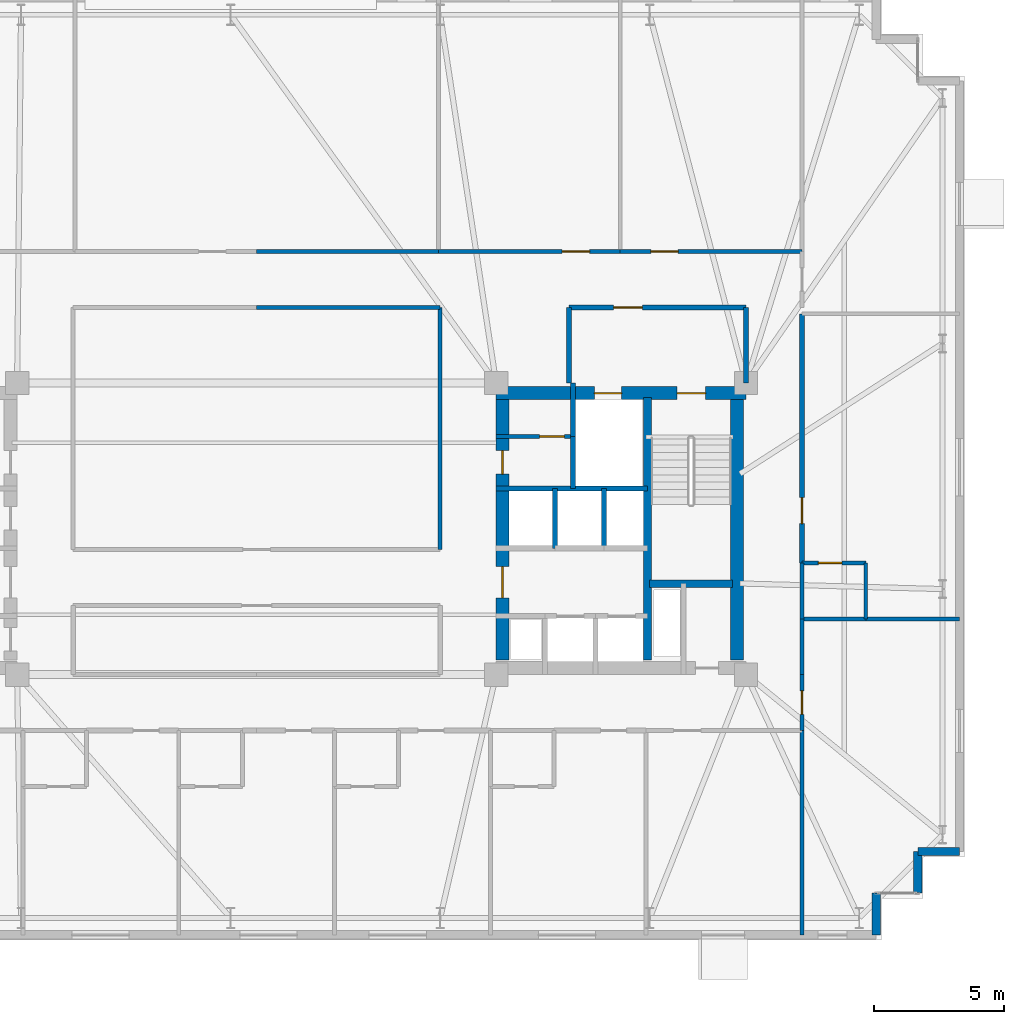
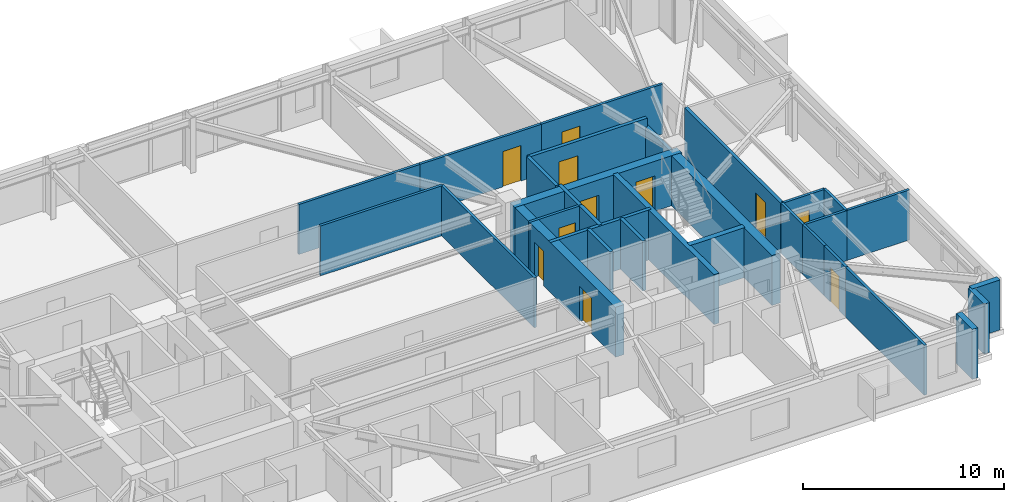
# One storey, part 15 of 18: 31 walls, 11 doors, 11 openings.
"""IFC4 building model written with IfcOpenShell, lengths in metres."""

from ifc_helpers import new_model, si_unit, direction, frame, frame_2d, origin, place, context, subcontext, project, spatial, rectangle, extrude, material, layer, layer_set, type_object, element, fill, save


model = new_model("IFC4")

# Units and contexts
model_context = context("Model", 3, precision=1e-05, world=origin(), true_north=direction((0.0, 1.0)))
body_context = subcontext(model_context, "Body", "Model", "MODEL_VIEW")
ifc_project = project(units=[si_unit("LENGTHUNIT", "METRE"), si_unit("AREAUNIT", "SQUARE_METRE"), si_unit("VOLUMEUNIT", "CUBIC_METRE"), si_unit("PLANEANGLEUNIT", "RADIAN"), si_unit("MASSUNIT", "GRAM", prefix="KILO")], contexts=[model_context])

# Site, building, storey
site_placement = place(None, origin())
site = spatial("IfcSite", under=ifc_project, at=site_placement, CompositionType="ELEMENT")
building_placement = place(site_placement, origin())
building = spatial("IfcBuilding", under=site, at=building_placement, Name="Qobustan Lattice House", CompositionType="ELEMENT")
storey_placement = place(building_placement, frame((0.0, 0.0, 154.449951171875)))
storey = spatial("IfcBuildingStorey", under=building, at=storey_placement, Name="L43", CompositionType="ELEMENT", Elevation=154.449951171875)

# Wall, openings, doors
ifc_material_1 = material(Name="Concrete C50/60", Category="concrete")
ifc_layer_1 = layer(ifc_material_1, 0.5)
ifc_layer_set_1 = layer_set([ifc_layer_1], Name="Concrete C50/60")
wall_type_1 = type_object("IfcWallType", Name="WAL-CORE-500", PredefinedType="SHEAR", material=ifc_layer_set_1)
wall_1_placement = place(storey_placement, frame((9.199951171875, 5.2099609375, 0.0), z_axis=(0.0, 0.0, 1.0), x_axis=(1.0, 0.0, 0.0)))
wall_1 = element("IfcWall", 1, at=wall_1_placement, inside=storey, type_object=wall_type_1, Name="L43 split-core shear wall CE-N", PredefinedType="SHEAR", context=body_context, shape_type="SweptSolid", body=[
    extrude(rectangle(XDim=9.60009765625, YDim=0.5, at=frame_2d((4.800048828125, 0.0))), origin(), (0.0, 0.0, 1.0), 3.0400390625),
])
opening_1_placement = place(wall_1_placement, frame((6.949951171875, 0.0, 0.0)))
opening_1 = element("IfcOpeningElement", 2, at=opening_1_placement, cuts=wall_1, Name="Opening SD-01", PredefinedType="OPENING", context=body_context, shape_type="SweptSolid", body=[
    extrude(rectangle(XDim=1.10009765625, YDim=2.14990234375, at=frame_2d((0.550048828125, 1.074951171875))), frame((0.0, 0.260009765625, 0.0), z_axis=(0.0, -1.0, 0.0), x_axis=(1.0, 0.0, 0.0)), (0.0, 0.0, 1.0), 0.52001953125),
])
opening_2_placement = place(wall_1_placement, frame((3.77490234375, 0.0, 0.0)))
opening_2 = element("IfcOpeningElement", 3, at=opening_2_placement, cuts=wall_1, Name="Opening LD-01", PredefinedType="OPENING", context=body_context, shape_type="SweptSolid", body=[
    extrude(rectangle(XDim=1.050048828125, YDim=2.10009765625, at=frame_2d((0.52490234375, 1.050048828125))), frame((0.0, 0.260009765625, 0.0), z_axis=(0.0, -1.0, 0.0), x_axis=(1.0, 0.0, 0.0)), (0.0, 0.0, 1.0), 0.52001953125),
])
ifc_material_2 = material(Name="Persian walnut timber and steel frame door", Category="steel")
door_type_1 = type_object("IfcDoorType", Name="DOR-LIFT-LD-1050x2100", OperationType="NOTDEFINED", PredefinedType="DOOR", material=ifc_material_2)
door_1_placement = place(opening_2_placement, origin())
door_1 = element("IfcDoor", 4, at=door_1_placement, inside=storey, type_object=door_type_1, Name="L43 firefighting lift FF-E landing door", OperationType="DOUBLE_DOOR_SLIDING", OverallHeight=2.10009765625, OverallWidth=1.050048828125, PredefinedType="DOOR", context=body_context, shape_type="SweptSolid", body=[
    extrude(rectangle(XDim=1.050048828125, YDim=2.10009765625, at=frame_2d((0.52490234375, 1.050048828125))), frame((0.0, 0.02490234375, 0.0), z_axis=(0.0, -1.0, 0.0), x_axis=(1.0, 0.0, 0.0)), (0.0, 0.0, 1.0), 0.050048828125),
])
fill(opening_2, door_1)
ifc_material_3 = material(Name="Persian walnut timber and steel frame door", Category="steel")
door_type_2 = type_object("IfcDoorType", Name="DOR-STAIR-FD-1100x2150", OperationType="NOTDEFINED", PredefinedType="DOOR", material=ifc_material_3)
door_2_placement = place(opening_1_placement, origin())
door_2 = element("IfcDoor", 5, at=door_2_placement, inside=storey, type_object=door_type_2, Name="L43 exit stair ST-E1 fire door", OperationType="SINGLE_SWING_LEFT", OverallHeight=2.14990234375, OverallWidth=1.10009765625, PredefinedType="DOOR", context=body_context, shape_type="SweptSolid", body=[
    extrude(rectangle(XDim=1.10009765625, YDim=2.14990234375, at=frame_2d((0.550048828125, 1.074951171875))), frame((0.0, 0.02490234375, 0.0), z_axis=(0.0, -1.0, 0.0), x_axis=(1.0, 0.0, 0.0)), (0.0, 0.0, 1.0), 0.050048828125),
])
fill(opening_1, door_2)

wall_2_placement = place(storey_placement, frame((9.449951171875, -5.050048828125, 0.0), z_axis=(0.0, 0.0, 1.0), x_axis=(0.0, 1.0, 0.0)))
wall_2 = element("IfcWall", 6, at=wall_2_placement, inside=storey, type_object=wall_type_1, Name="L43 split-core shear wall CE-W", PredefinedType="SHEAR", context=body_context, shape_type="SweptSolid", body=[
    extrude(rectangle(XDim=10.10009765625, YDim=0.5, at=frame_2d((5.050048828125, 0.0))), origin(), (0.0, 0.0, 1.0), 3.0400390625),
])
opening_3_placement = place(wall_2_placement, frame((7.14990234375, 0.0, 0.0)))
opening_3 = element("IfcOpeningElement", 7, at=opening_3_placement, cuts=wall_2, Name="Opening RD-01", PredefinedType="OPENING", context=body_context, shape_type="SweptSolid", body=[
    extrude(rectangle(XDim=0.89990234375, YDim=2.10009765625, at=frame_2d((0.449951171875, 1.050048828125))), frame((0.0, 0.260009765625, 0.0), z_axis=(0.0, -1.0, 0.0), x_axis=(1.0, 0.0, 0.0)), (0.0, 0.0, 1.0), 0.52001953125),
])
opening_4_placement = place(wall_2_placement, frame((2.39990234375, 0.0, 0.0)))
opening_4 = element("IfcOpeningElement", 8, at=opening_4_placement, cuts=wall_2, Name="Opening FD-01", PredefinedType="OPENING", context=body_context, shape_type="SweptSolid", body=[
    extrude(rectangle(XDim=1.199951171875, YDim=2.14990234375, at=frame_2d((0.60009765625, 1.074951171875))), frame((0.0, 0.260009765625, 0.0), z_axis=(0.0, -1.0, 0.0), x_axis=(1.0, 0.0, 0.0)), (0.0, 0.0, 1.0), 0.52001953125),
])
ifc_material_4 = material(Name="Persian walnut timber and steel frame door", Category="steel")
door_type_3 = type_object("IfcDoorType", Name="DOR-LOBBY-FD-1200x2150", OperationType="NOTDEFINED", PredefinedType="DOOR", material=ifc_material_4)
door_3_placement = place(opening_4_placement, origin())
door_3 = element("IfcDoor", 9, at=door_3_placement, inside=storey, type_object=door_type_3, Name="L43 East passenger lift lobby fire door", OperationType="SINGLE_SWING_LEFT", OverallHeight=2.14990234375, OverallWidth=1.199951171875, PredefinedType="DOOR", context=body_context, shape_type="SweptSolid", body=[
    extrude(rectangle(XDim=1.199951171875, YDim=2.14990234375, at=frame_2d((0.60009765625, 1.074951171875))), frame((0.0, 0.02490234375, 0.0), z_axis=(0.0, -1.0, 0.0), x_axis=(1.0, 0.0, 0.0)), (0.0, 0.0, 1.0), 0.050048828125),
])
fill(opening_4, door_3)
ifc_material_5 = material(Name="Persian walnut timber and steel frame door", Category="steel")
door_type_4 = type_object("IfcDoorType", Name="DOR-RISER-FD-900x2100", OperationType="NOTDEFINED", PredefinedType="DOOR", material=ifc_material_5)
door_4_placement = place(opening_3_placement, origin())
door_4 = element("IfcDoor", 10, at=door_4_placement, inside=storey, type_object=door_type_4, Name="L43 Housekeeping utility foyer fire door", OperationType="SINGLE_SWING_RIGHT", OverallHeight=2.10009765625, OverallWidth=0.89990234375, PredefinedType="DOOR", context=body_context, shape_type="SweptSolid", body=[
    extrude(rectangle(XDim=0.89990234375, YDim=2.10009765625, at=frame_2d((0.449951171875, 1.050048828125))), frame((0.0, 0.02490234375, 0.0), z_axis=(0.0, -1.0, 0.0), x_axis=(1.0, 0.0, 0.0)), (0.0, 0.0, 1.0), 0.050048828125),
])
fill(opening_3, door_4)

# Walls
wall_3_placement = place(storey_placement, frame((18.4599609375, -5.050048828125, 0.0), z_axis=(0.0, 0.0, 1.0), x_axis=(0.0, 1.0, 0.0)))
element("IfcWall", 11, at=wall_3_placement, inside=storey, type_object=wall_type_1, Name="L43 split-core shear wall CE-E", PredefinedType="SHEAR", context=body_context, shape_type="SweptSolid", body=[
    extrude(rectangle(XDim=10.10009765625, YDim=0.5, at=frame_2d((5.050048828125, 0.0))), origin(), (0.0, 0.0, 1.0), 3.0400390625),
])
ifc_material_6 = material(Name="Concrete C50/60", Category="concrete")
ifc_layer_2 = layer(ifc_material_6, 0.280029296875)
ifc_layer_set_2 = layer_set([ifc_layer_2], Name="Concrete C50/60")
wall_type_2 = type_object("IfcWallType", Name="WAL-CORE-SPINE-280", PredefinedType="SHEAR", material=ifc_layer_set_2)
wall_4_placement = place(storey_placement, frame((15.02001953125, -5.050048828125, 0.0), z_axis=(0.0, 0.0, 1.0), x_axis=(0.0, 1.0, 0.0)))
element("IfcWall", 12, at=wall_4_placement, inside=storey, type_object=wall_type_2, Name="L43 split-core shear wall CE-M", PredefinedType="SHEAR", context=body_context, shape_type="SweptSolid", body=[
    extrude(rectangle(XDim=10.10009765625, YDim=0.300048828125, at=frame_2d((5.050048828125, 0.0))), origin(), (0.0, 0.0, 1.0), 3.0400390625),
])
wall_5_placement = place(storey_placement, frame((15.10009765625, -2.110107421875, 0.0), z_axis=(0.0, 0.0, 1.0), x_axis=(1.0, 0.0, 0.0)))
element("IfcWall", 13, at=wall_5_placement, inside=storey, type_object=wall_type_2, Name="L43 split-core shear wall CE-ST", PredefinedType="SHEAR", context=body_context, shape_type="SweptSolid", body=[
    extrude(rectangle(XDim=3.179931640625, YDim=0.300048828125, at=frame_2d((1.58984375, 0.0))), origin(), (0.0, 0.0, 1.0), 3.0400390625),
])
ifc_material_7 = material(Name="Precast concrete C40/50", Category="concrete")
ifc_layer_3 = layer(ifc_material_7, 0.320068359375)
ifc_layer_set_3 = layer_set([ifc_layer_3], Name="Precast concrete C40/50")
wall_type_3 = type_object("IfcWallType", Name="WAL-EXT-STONE-320", PredefinedType="SOLIDWALL", material=ifc_layer_set_3)
for number, where, z_axis, x_axis, name in (
    (14, (27.0, -12.39990234375, 0.0), (0.0, 0.0, 1.0), (-1.0, 0.0, 0.0), "L43 exterior limestone-clad wall 16"),
    (15, (25.39990234375, -12.39990234375, 0.0), (0.0, 0.0, 1.0), (0.0, -1.0, 0.0), "L43 exterior limestone-clad wall 17"),
    (16, (23.800048828125, -14.0, 0.0), (0.0, 0.0, 1.0), (0.0, -1.0, 0.0), "L43 exterior limestone-clad wall 19"),
):
    element("IfcWall", number, at=place(storey_placement, frame(where, z_axis=z_axis, x_axis=x_axis)), inside=storey, type_object=wall_type_3, Name=name, PredefinedType="SOLIDWALL", context=body_context, shape_type="SweptSolid", body=[
        extrude(rectangle(XDim=1.60009765625, YDim=0.320068359375, at=frame_2d((0.800048828125, 0.0))), origin(), (0.0, 0.0, 1.0), 3.0400390625),
    ])

# Wall, opening, door
ifc_material_8 = material(Name="Gypsum fireboard acoustic partition", Category="gypsum")
ifc_layer_4 = layer(ifc_material_8, 0.179931640625)
ifc_layer_set_4 = layer_set([ifc_layer_4], Name="Gypsum fireboard acoustic partition")
wall_type_4 = type_object("IfcWallType", Name="WAL-FIRE-180", PredefinedType="PARTITIONING", material=ifc_layer_set_4)
wall_6_placement = place(storey_placement, frame((20.949951171875, 8.260009765625, 0.0), z_axis=(0.0, 0.0, 1.0), x_axis=(0.0, -1.0, 0.0)))
wall_6 = element("IfcWall", 17, at=wall_6_placement, inside=storey, type_object=wall_type_4, Name="L43 interior partition 62", PredefinedType="PARTITIONING", context=body_context, shape_type="SweptSolid", body=[
    extrude(rectangle(XDim=9.570068359375, YDim=0.179931640625, at=frame_2d((4.78515625, 0.0))), origin(), (0.0, 0.0, 1.0), 3.0400390625),
])
opening_5_placement = place(wall_6_placement, frame((7.063720703125, 0.0, 0.0)))
opening_5 = element("IfcOpeningElement", 18, at=opening_5_placement, cuts=wall_6, Name="Opening FD-02", PredefinedType="OPENING", context=body_context, shape_type="SweptSolid", body=[
    extrude(rectangle(XDim=1.0, YDim=2.14990234375, at=frame_2d((0.5, 1.074951171875))), frame((0.0, 0.099853515625, 0.0), z_axis=(0.0, -1.0, 0.0), x_axis=(1.0, 0.0, 0.0)), (0.0, 0.0, 1.0), 0.199951171875),
])
ifc_material_9 = material(Name="Persian walnut timber and steel frame door", Category="steel")
door_type_5 = type_object("IfcDoorType", Name="DOR-UNIT-FD-1000x2150", OperationType="NOTDEFINED", PredefinedType="DOOR", material=ifc_material_9)
door_5_placement = place(opening_5_placement, origin())
door_5 = element("IfcDoor", 19, at=door_5_placement, inside=storey, type_object=door_type_5, Name="L43 East wing spine gallery to Kitchenette and studio apartment L43-E2 door", OperationType="SINGLE_SWING_RIGHT", OverallHeight=2.14990234375, OverallWidth=1.0, PredefinedType="DOOR", context=body_context, shape_type="SweptSolid", body=[
    extrude(rectangle(XDim=1.0, YDim=2.14990234375, at=frame_2d((0.5, 1.074951171875))), frame((0.0, 0.02490234375, 0.0), z_axis=(0.0, -1.0, 0.0), x_axis=(1.0, 0.0, 0.0)), (0.0, 0.0, 1.0), 0.050048828125),
])
fill(opening_5, door_5)

ifc_material_10 = material(Name="Acoustic twin-stud gypsum partition", Category="gypsum")
ifc_layer_5 = layer(ifc_material_10, 0.14990234375)
ifc_layer_set_5 = layer_set([ifc_layer_5], Name="Acoustic twin-stud gypsum partition")
wall_type_5 = type_object("IfcWallType", Name="WAL-PART-150", PredefinedType="PARTITIONING", material=ifc_layer_set_5)
wall_7_placement = place(storey_placement, frame((12.14990234375, 3.550048828125, 0.0), z_axis=(0.0, 0.0, 1.0), x_axis=(-1.0, 0.0, 0.0)))
wall_7 = element("IfcWall", 20, at=wall_7_placement, inside=storey, type_object=wall_type_5, Name="L43 interior partition 21", PredefinedType="PARTITIONING", context=body_context, shape_type="SweptSolid", body=[
    extrude(rectangle(XDim=2.949951171875, YDim=0.14990234375, at=frame_2d((1.47509765625, 0.0))), origin(), (0.0, 0.0, 1.0), 3.0400390625),
])
opening_6_placement = place(wall_7_placement, frame((0.324951171875, 0.0, 0.0)))
opening_6 = element("IfcOpeningElement", 21, at=opening_6_placement, cuts=wall_7, Name="Opening ID-01", PredefinedType="OPENING", context=body_context, shape_type="SweptSolid", body=[
    extrude(rectangle(XDim=0.949951171875, YDim=2.10009765625, at=frame_2d((0.47509765625, 1.050048828125))), frame((0.0, 0.0849609375, 0.0), z_axis=(0.0, -1.0, 0.0), x_axis=(1.0, 0.0, 0.0)), (0.0, 0.0, 1.0), 0.169921875),
])
ifc_material_11 = material(Name="Persian walnut timber and steel frame door", Category="steel")
door_type_6 = type_object("IfcDoorType", Name="DOR-ROOM-950x2100", OperationType="NOTDEFINED", PredefinedType="DOOR", material=ifc_material_11)
door_6_placement = place(opening_6_placement, origin())
door_6 = element("IfcDoor", 22, at=door_6_placement, inside=storey, type_object=door_type_6, Name="L43 Housekeeping utility foyer to Cleaner cupboard door", OperationType="SINGLE_SWING_LEFT", OverallHeight=2.10009765625, OverallWidth=0.949951171875, PredefinedType="DOOR", context=body_context, shape_type="SweptSolid", body=[
    extrude(rectangle(XDim=0.949951171875, YDim=2.10009765625, at=frame_2d((0.47509765625, 1.050048828125))), frame((0.0, 0.02490234375, 0.0), z_axis=(0.0, -1.0, 0.0), x_axis=(1.0, 0.0, 0.0)), (0.0, 0.0, 1.0), 0.050048828125),
])
fill(opening_6, door_6)

# Wall
wall_8_placement = place(storey_placement, frame((0.0, 10.64990234375, 0.0), z_axis=(0.0, 0.0, 1.0), x_axis=(1.0, 0.0, 0.0)))
element("IfcWall", 23, at=wall_8_placement, inside=storey, type_object=wall_type_5, Name="L43 interior partition 39", PredefinedType="PARTITIONING", context=body_context, shape_type="SweptSolid", body=[
    extrude(rectangle(XDim=6.98291015625, YDim=0.14990234375, at=frame_2d((3.491455078125, 0.0))), origin(), (0.0, 0.0, 1.0), 3.0400390625),
])

# Wall, opening, door
wall_9_placement = place(storey_placement, frame((6.98291015625, 10.64990234375, 0.0), z_axis=(0.0, 0.0, 1.0), x_axis=(1.0, 0.0, 0.0)))
wall_9 = element("IfcWall", 24, at=wall_9_placement, inside=storey, type_object=wall_type_5, Name="L43 interior partition 40", PredefinedType="PARTITIONING", context=body_context, shape_type="SweptSolid", body=[
    extrude(rectangle(XDim=6.983642578125, YDim=0.14990234375, at=frame_2d((3.49169921875, 0.0))), origin(), (0.0, 0.0, 1.0), 3.0400390625),
])
opening_7_placement = place(wall_9_placement, frame((4.7568359375, 0.0, 0.0)))
opening_7 = element("IfcOpeningElement", 25, at=opening_7_placement, cuts=wall_9, Name="Opening ID-02", PredefinedType="OPENING", context=body_context, shape_type="SweptSolid", body=[
    extrude(rectangle(XDim=1.050048828125, YDim=2.14990234375, at=frame_2d((0.52490234375, 1.074951171875))), frame((0.0, 0.0849609375, 0.0), z_axis=(0.0, -1.0, 0.0), x_axis=(1.0, 0.0, 0.0)), (0.0, 0.0, 1.0), 0.169921875),
])
ifc_material_12 = material(Name="Persian walnut timber and steel frame door", Category="steel")
door_type_7 = type_object("IfcDoorType", Name="DOR-STUDY-1050x2150", OperationType="NOTDEFINED", PredefinedType="DOOR", material=ifc_material_12)
door_7_placement = place(opening_7_placement, origin())
door_7 = element("IfcDoor", 26, at=door_7_placement, inside=storey, type_object=door_type_7, Name="L43 North-east floor corridor to Focus study room N3A door", OperationType="SINGLE_SWING_RIGHT", OverallHeight=2.14990234375, OverallWidth=1.050048828125, PredefinedType="DOOR", context=body_context, shape_type="SweptSolid", body=[
    extrude(rectangle(XDim=1.050048828125, YDim=2.14990234375, at=frame_2d((0.52490234375, 1.074951171875))), frame((0.0, 0.02490234375, 0.0), z_axis=(0.0, -1.0, 0.0), x_axis=(1.0, 0.0, 0.0)), (0.0, 0.0, 1.0), 0.050048828125),
])
fill(opening_7, door_7)

wall_10_placement = place(storey_placement, frame((13.966552734375, 10.64990234375, 0.0), z_axis=(0.0, 0.0, 1.0), x_axis=(1.0, 0.0, 0.0)))
wall_10 = element("IfcWall", 27, at=wall_10_placement, inside=storey, type_object=wall_type_5, Name="L43 interior partition 41", PredefinedType="PARTITIONING", context=body_context, shape_type="SweptSolid", body=[
    extrude(rectangle(XDim=6.9833984375, YDim=0.14990234375, at=frame_2d((3.49169921875, 0.0))), origin(), (0.0, 0.0, 1.0), 3.0400390625),
])
opening_8_placement = place(wall_10_placement, frame((1.1767578125, 0.0, 0.0)))
opening_8 = element("IfcOpeningElement", 28, at=opening_8_placement, cuts=wall_10, Name="Opening ID-02", PredefinedType="OPENING", context=body_context, shape_type="SweptSolid", body=[
    extrude(rectangle(XDim=1.050048828125, YDim=2.14990234375, at=frame_2d((0.52490234375, 1.074951171875))), frame((0.0, 0.0849609375, 0.0), z_axis=(0.0, -1.0, 0.0), x_axis=(1.0, 0.0, 0.0)), (0.0, 0.0, 1.0), 0.169921875),
])
door_8_placement = place(opening_8_placement, origin())
door_8 = element("IfcDoor", 29, at=door_8_placement, inside=storey, type_object=door_type_7, Name="L43 North-east floor corridor to Focus study room N3B door", OperationType="SINGLE_SWING_LEFT", OverallHeight=2.14990234375, OverallWidth=1.050048828125, PredefinedType="DOOR", context=body_context, shape_type="SweptSolid", body=[
    extrude(rectangle(XDim=1.050048828125, YDim=2.14990234375, at=frame_2d((0.52490234375, 1.074951171875))), frame((0.0, 0.02490234375, 0.0), z_axis=(0.0, -1.0, 0.0), x_axis=(1.0, 0.0, 0.0)), (0.0, 0.0, 1.0), 0.050048828125),
])
fill(opening_8, door_8)

# Wall
wall_11_placement = place(storey_placement, frame((7.050048828125, 8.5, 0.0), z_axis=(0.0, 0.0, 1.0), x_axis=(-1.0, 0.0, 0.0)))
element("IfcWall", 30, at=wall_11_placement, inside=storey, type_object=wall_type_5, Name="L43 interior partition 42", PredefinedType="PARTITIONING", context=body_context, shape_type="SweptSolid", body=[
    extrude(rectangle(XDim=7.050048828125, YDim=0.14990234375, at=frame_2d((3.52490234375, 0.0))), origin(), (0.0, 0.0, 1.0), 3.0400390625),
])

# Wall, opening, door
wall_12_placement = place(storey_placement, frame((20.949951171875, -5.60009765625, 0.0), z_axis=(0.0, 0.0, 1.0), x_axis=(0.0, -1.0, 0.0)))
wall_12 = element("IfcWall", 31, at=wall_12_placement, inside=storey, type_object=wall_type_5, Name="L43 interior partition 52", PredefinedType="PARTITIONING", context=body_context, shape_type="SweptSolid", body=[
    extrude(rectangle(XDim=2.14990234375, YDim=0.14990234375, at=frame_2d((1.074951171875, 0.0))), origin(), (0.0, 0.0, 1.0), 3.0400390625),
])
opening_9_placement = place(wall_12_placement, frame((0.625, 0.0, 0.0)))
opening_9 = element("IfcOpeningElement", 32, at=opening_9_placement, cuts=wall_12, Name="Opening WD-01", PredefinedType="OPENING", context=body_context, shape_type="SweptSolid", body=[
    extrude(rectangle(XDim=0.89990234375, YDim=2.10009765625, at=frame_2d((0.449951171875, 1.050048828125))), frame((0.0, 0.0849609375, 0.0), z_axis=(0.0, -1.0, 0.0), x_axis=(1.0, 0.0, 0.0)), (0.0, 0.0, 1.0), 0.169921875),
])
ifc_material_13 = material(Name="Persian walnut timber and steel frame door", Category="steel")
door_type_8 = type_object("IfcDoorType", Name="DOR-WET-900x2100", OperationType="NOTDEFINED", PredefinedType="DOOR", material=ifc_material_13)
door_9_placement = place(opening_9_placement, origin())
door_9 = element("IfcDoor", 33, at=door_9_placement, inside=storey, type_object=door_type_8, Name="L43 South-east floor corridor to Focus study room E1 door", OperationType="SINGLE_SWING_RIGHT", OverallHeight=2.10009765625, OverallWidth=0.89990234375, PredefinedType="DOOR", context=body_context, shape_type="SweptSolid", body=[
    extrude(rectangle(XDim=0.89990234375, YDim=2.10009765625, at=frame_2d((0.449951171875, 1.050048828125))), frame((0.0, 0.02490234375, 0.0), z_axis=(0.0, -1.0, 0.0), x_axis=(1.0, 0.0, 0.0)), (0.0, 0.0, 1.0), 0.050048828125),
])
fill(opening_9, door_9)

# Walls
wall_13_placement = place(storey_placement, frame((20.949951171875, -3.4599609375, 0.0), z_axis=(0.0, 0.0, 1.0), x_axis=(0.0, -1.0, 0.0)))
element("IfcWall", 34, at=wall_13_placement, inside=storey, type_object=wall_type_5, Name="L43 interior partition 61", PredefinedType="PARTITIONING", context=body_context, shape_type="SweptSolid", body=[
    extrude(rectangle(XDim=2.14013671875, YDim=0.14990234375, at=frame_2d((1.070068359375, 0.0))), origin(), (0.0, 0.0, 1.0), 3.0400390625),
])
wall_14_placement = place(storey_placement, frame((7.050048828125, -0.800048828125, 0.0), z_axis=(0.0, 0.0, 1.0), x_axis=(0.0, 1.0, 0.0)))
element("IfcWall", 35, at=wall_14_placement, inside=storey, type_object=wall_type_5, Name="L43 interior partition 68", PredefinedType="PARTITIONING", context=body_context, shape_type="SweptSolid", body=[
    extrude(rectangle(XDim=9.300048828125, YDim=0.14990234375, at=frame_2d((4.64990234375, 0.0))), origin(), (0.0, 0.0, 1.0), 3.0400390625),
])
wall_15_placement = place(storey_placement, frame((23.39990234375, -3.4599609375, 0.0), z_axis=(0.0, 0.0, 1.0), x_axis=(1.0, 0.0, 0.0)))
element("IfcWall", 36, at=wall_15_placement, inside=storey, type_object=wall_type_5, Name="L43 interior partition 87", PredefinedType="PARTITIONING", context=body_context, shape_type="SweptSolid", body=[
    extrude(rectangle(XDim=3.60009765625, YDim=0.14990234375, at=frame_2d((1.800048828125, 0.0))), origin(), (0.0, 0.0, 1.0), 3.0400390625),
])
wall_16_placement = place(storey_placement, frame((20.949951171875, -15.60009765625, 0.0), z_axis=(0.0, 0.0, 1.0), x_axis=(0.0, 1.0, 0.0)))
element("IfcWall", 37, at=wall_16_placement, inside=storey, type_object=wall_type_5, Name="L43 interior partition 89", PredefinedType="PARTITIONING", context=body_context, shape_type="SweptSolid", body=[
    extrude(rectangle(XDim=7.85009765625, YDim=0.14990234375, at=frame_2d((3.925048828125, 0.0))), origin(), (0.0, 0.0, 1.0), 3.0400390625),
])

# Wall, opening, door
ifc_material_14 = material(Name="Two-hour gypsum fireboard acoustic partition", Category="gypsum")
ifc_layer_6 = layer(ifc_material_14, 0.199951171875)
ifc_layer_set_6 = layer_set([ifc_layer_6], Name="Two-hour gypsum fireboard acoustic partition")
wall_type_6 = type_object("IfcWallType", Name="WAL-PROT-200", PredefinedType="PARTITIONING", material=ifc_layer_set_6)
wall_17_placement = place(storey_placement, frame((18.800048828125, 8.5, 0.0), z_axis=(0.0, 0.0, 1.0), x_axis=(-1.0, 0.0, 0.0)))
wall_17 = element("IfcWall", 38, at=wall_17_placement, inside=storey, type_object=wall_type_6, Name="L43 interior partition 18", PredefinedType="PARTITIONING", context=body_context, shape_type="SweptSolid", body=[
    extrude(rectangle(XDim=6.800048828125, YDim=0.199951171875, at=frame_2d((3.39990234375, 0.0))), origin(), (0.0, 0.0, 1.0), 3.0400390625),
])
opening_10_placement = place(wall_17_placement, frame((3.985107421875, 0.0, 0.0)))
opening_10 = element("IfcOpeningElement", 39, at=opening_10_placement, cuts=wall_17, Name="Opening SD-01", PredefinedType="OPENING", context=body_context, shape_type="SweptSolid", body=[
    extrude(rectangle(XDim=1.10009765625, YDim=2.14990234375, at=frame_2d((0.550048828125, 1.074951171875))), frame((0.0, 0.10986328125, 0.0), z_axis=(0.0, -1.0, 0.0), x_axis=(1.0, 0.0, 0.0)), (0.0, 0.0, 1.0), 0.219970703125),
])
door_10_placement = place(opening_10_placement, origin())
door_10 = element("IfcDoor", 40, at=door_10_placement, inside=storey, type_object=door_type_2, Name="L43 East firefighting lift lobby to North-east floor corridor door", OperationType="SINGLE_SWING_RIGHT", OverallHeight=2.14990234375, OverallWidth=1.10009765625, PredefinedType="DOOR", context=body_context, shape_type="SweptSolid", body=[
    extrude(rectangle(XDim=1.10009765625, YDim=2.14990234375, at=frame_2d((0.550048828125, 1.074951171875))), frame((0.0, 0.02490234375, 0.0), z_axis=(0.0, -1.0, 0.0), x_axis=(1.0, 0.0, 0.0)), (0.0, 0.0, 1.0), 0.050048828125),
])
fill(opening_10, door_10)

# Walls
wall_18_placement = place(storey_placement, frame((18.800048828125, 5.60009765625, 0.0), z_axis=(0.0, 0.0, 1.0), x_axis=(0.0, 1.0, 0.0)))
element("IfcWall", 41, at=wall_18_placement, inside=storey, type_object=wall_type_6, Name="L43 interior partition 19", PredefinedType="PARTITIONING", context=body_context, shape_type="SweptSolid", body=[
    extrude(rectangle(XDim=2.89990234375, YDim=0.199951171875, at=frame_2d((1.449951171875, 0.0))), origin(), (0.0, 0.0, 1.0), 2.525146484375),
])
wall_19_placement = place(storey_placement, frame((12.0, 8.5, 0.0), z_axis=(0.0, 0.0, 1.0), x_axis=(0.0, -1.0, 0.0)))
element("IfcWall", 42, at=wall_19_placement, inside=storey, type_object=wall_type_6, Name="L43 interior partition 20", PredefinedType="PARTITIONING", context=body_context, shape_type="SweptSolid", body=[
    extrude(rectangle(XDim=2.89990234375, YDim=0.199951171875, at=frame_2d((1.449951171875, 0.0))), origin(), (0.0, 0.0, 1.0), 3.0400390625),
])
ifc_material_15 = material(Name="Concrete C40/50", Category="concrete")
ifc_layer_7 = layer(ifc_material_15, 0.199951171875)
ifc_layer_set_7 = layer_set([ifc_layer_7], Name="Concrete C40/50")
wall_type_7 = type_object("IfcWallType", Name="WAL-SHAFT-200", PredefinedType="PARTITIONING", material=ifc_layer_set_7)
wall_20_placement = place(storey_placement, frame((12.14990234375, 3.550048828125, 0.0), z_axis=(0.0, 0.0, 1.0), x_axis=(0.0, -1.0, 0.0)))
element("IfcWall", 43, at=wall_20_placement, inside=storey, type_object=wall_type_7, Name="L43 interior partition 16", PredefinedType="PARTITIONING", context=body_context, shape_type="SweptSolid", body=[
    extrude(rectangle(XDim=2.0, YDim=0.199951171875, at=frame_2d((1.0, 0.0))), origin(), (0.0, 0.0, 1.0), 3.0400390625),
])
wall_21_placement = place(storey_placement, frame((12.14990234375, 5.60009765625, 0.0), z_axis=(0.0, 0.0, 1.0), x_axis=(0.0, -1.0, 0.0)))
element("IfcWall", 44, at=wall_21_placement, inside=storey, type_object=wall_type_7, Name="L43 interior partition 17", PredefinedType="PARTITIONING", context=body_context, shape_type="SweptSolid", body=[
    extrude(rectangle(XDim=2.050048828125, YDim=0.199951171875, at=frame_2d((1.02490234375, 0.0))), origin(), (0.0, 0.0, 1.0), 3.0400390625),
])
for number, where, z_axis, x_axis, name in (
    (45, (11.4599609375, -0.75, 0.0), (0.0, 0.0, 1.0), (0.0, 1.0, 0.0), "L43 interior partition 32"),
    (46, (13.340087890625, -0.75, 0.0), (0.0, 0.0, 1.0), (0.0, 1.0, 0.0), "L43 interior partition 33"),
):
    element("IfcWall", number, at=place(storey_placement, frame(where, z_axis=z_axis, x_axis=x_axis)), inside=storey, type_object=wall_type_7, Name=name, PredefinedType="PARTITIONING", context=body_context, shape_type="SweptSolid", body=[
        extrude(rectangle(XDim=2.300048828125, YDim=0.199951171875, at=frame_2d((1.14990234375, 0.0))), origin(), (0.0, 0.0, 1.0), 3.0400390625),
    ])
wall_22_placement = place(storey_placement, frame((9.199951171875, 1.550048828125, 0.0), z_axis=(0.0, 0.0, 1.0), x_axis=(1.0, 0.0, 0.0)))
element("IfcWall", 47, at=wall_22_placement, inside=storey, type_object=wall_type_7, Name="L43 interior partition 119", PredefinedType="PARTITIONING", context=body_context, shape_type="SweptSolid", body=[
    extrude(rectangle(XDim=5.820068359375, YDim=0.199951171875, at=frame_2d((2.91015625, 0.0))), origin(), (0.0, 0.0, 1.0), 3.0400390625),
])
ifc_material_16 = material(Name="Moisture-resistant acoustic plumbing wall", Category="gypsum")
ifc_layer_8 = layer(ifc_material_16, 0.14990234375)
ifc_layer_set_8 = layer_set([ifc_layer_8], Name="Moisture-resistant acoustic plumbing wall")
wall_type_8 = type_object("IfcWallType", Name="WAL-WET-150", PredefinedType="PLUMBINGWALL", material=ifc_layer_set_8)
wall_23_placement = place(storey_placement, frame((20.949951171875, -1.31005859375, 0.0), z_axis=(0.0, 0.0, 1.0), x_axis=(0.0, -1.0, 0.0)))
element("IfcWall", 48, at=wall_23_placement, inside=storey, type_object=wall_type_8, Name="L43 interior partition 63", PredefinedType="PLUMBINGWALL", context=body_context, shape_type="SweptSolid", body=[
    extrude(rectangle(XDim=2.14990234375, YDim=0.14990234375, at=frame_2d((1.074951171875, 0.0))), origin(), (0.0, 0.0, 1.0), 3.0400390625),
])
wall_24_placement = place(storey_placement, frame((20.949951171875, -3.4599609375, 0.0), z_axis=(0.0, 0.0, 1.0), x_axis=(1.0, 0.0, 0.0)))
element("IfcWall", 49, at=wall_24_placement, inside=storey, type_object=wall_type_8, Name="L43 interior partition 88", PredefinedType="PLUMBINGWALL", context=body_context, shape_type="SweptSolid", body=[
    extrude(rectangle(XDim=2.449951171875, YDim=0.14990234375, at=frame_2d((1.22509765625, 0.0))), origin(), (0.0, 0.0, 1.0), 3.0400390625),
])

# Wall, opening, door
wall_25_placement = place(storey_placement, frame((23.39990234375, -1.31005859375, 0.0), z_axis=(0.0, 0.0, 1.0), x_axis=(-1.0, 0.0, 0.0)))
wall_25 = element("IfcWall", 50, at=wall_25_placement, inside=storey, type_object=wall_type_8, Name="L43 interior partition 90", PredefinedType="PLUMBINGWALL", context=body_context, shape_type="SweptSolid", body=[
    extrude(rectangle(XDim=2.449951171875, YDim=0.14990234375, at=frame_2d((1.22509765625, 0.0))), origin(), (0.0, 0.0, 1.0), 3.0400390625),
])
opening_11_placement = place(wall_25_placement, frame((0.921142578125, 0.0, 0.0)))
opening_11 = element("IfcOpeningElement", 51, at=opening_11_placement, cuts=wall_25, Name="Opening WD-01", PredefinedType="OPENING", context=body_context, shape_type="SweptSolid", body=[
    extrude(rectangle(XDim=0.89990234375, YDim=2.10009765625, at=frame_2d((0.449951171875, 1.050048828125))), frame((0.0, 0.0849609375, 0.0), z_axis=(0.0, -1.0, 0.0), x_axis=(1.0, 0.0, 0.0)), (0.0, 0.0, 1.0), 0.169921875),
])
door_11_placement = place(opening_11_placement, origin())
door_11 = element("IfcDoor", 52, at=door_11_placement, inside=storey, type_object=door_type_8, Name="L43 Kitchenette and studio apartment L43-E2 to En-suite bathroom L43-E2 door", OperationType="SINGLE_SWING_LEFT", OverallHeight=2.10009765625, OverallWidth=0.89990234375, PredefinedType="DOOR", context=body_context, shape_type="SweptSolid", body=[
    extrude(rectangle(XDim=0.89990234375, YDim=2.10009765625, at=frame_2d((0.449951171875, 1.050048828125))), frame((0.0, 0.02490234375, 0.0), z_axis=(0.0, -1.0, 0.0), x_axis=(1.0, 0.0, 0.0)), (0.0, 0.0, 1.0), 0.050048828125),
])
fill(opening_11, door_11)

# Wall
wall_26_placement = place(storey_placement, frame((23.39990234375, -3.4599609375, 0.0), z_axis=(0.0, 0.0, 1.0), x_axis=(0.0, 1.0, 0.0)))
element("IfcWall", 53, at=wall_26_placement, inside=storey, type_object=wall_type_8, Name="L43 interior partition 91", PredefinedType="PLUMBINGWALL", context=body_context, shape_type="SweptSolid", body=[
    extrude(rectangle(XDim=2.14990234375, YDim=0.14990234375, at=frame_2d((1.074951171875, 0.0))), origin(), (0.0, 0.0, 1.0), 3.0400390625),
])

save(model, "model.ifc")
